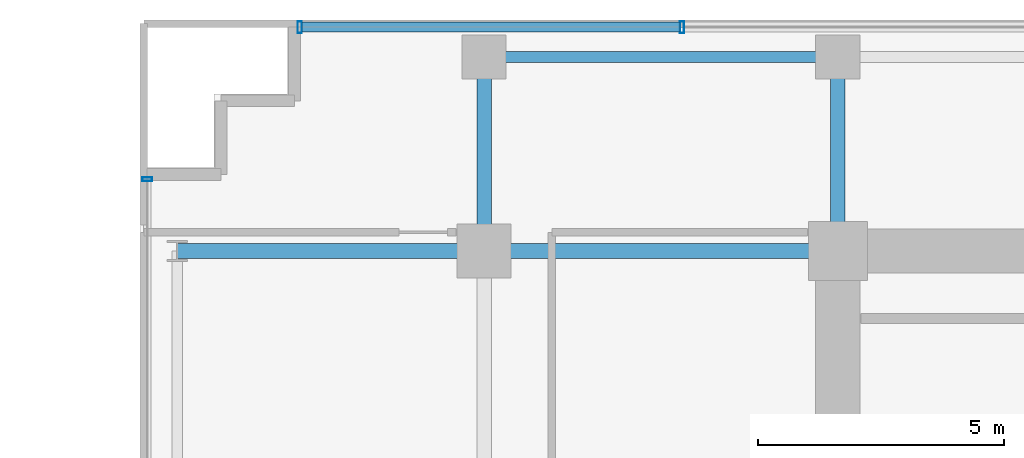
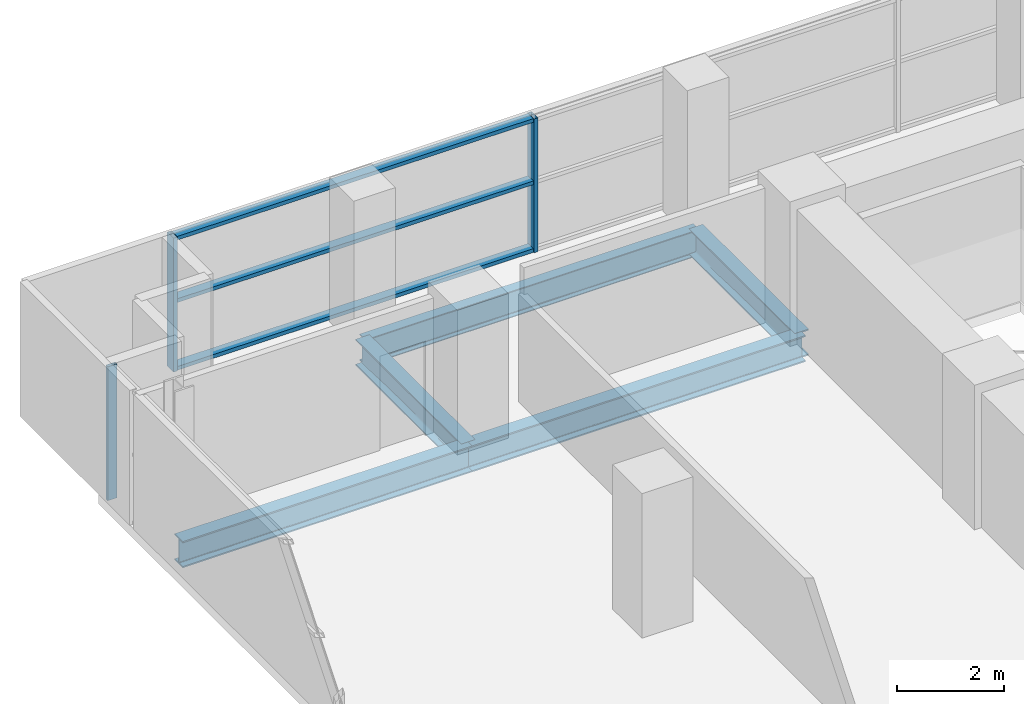
# One storey, part 18 of 32: 6 members, 5 beams, 2 elements without a shape of their own.
"""IFC4 building model written with IfcOpenShell, lengths in metres."""

from ifc_helpers import new_model, si_unit, direction, frame, origin, origin_2d, place, context, subcontext, project, spatial, hollow_rectangle, i_section, extrude, source, transform, mapped, material, layer, layer_set, material_profile, profile_set, type_object, element, aggregate, save


model = new_model("IFC4")

# Units and contexts
model_context = context("Model", 3, precision=1e-05, world=origin(), true_north=direction((0.0, 1.0)))
body_context = subcontext(model_context, "Body", "Model", "MODEL_VIEW")
ifc_project = project(units=[si_unit("LENGTHUNIT", "METRE"), si_unit("AREAUNIT", "SQUARE_METRE"), si_unit("VOLUMEUNIT", "CUBIC_METRE"), si_unit("PLANEANGLEUNIT", "RADIAN"), si_unit("MASSUNIT", "GRAM", prefix="KILO")], contexts=[model_context])

# Site, building, storey
site_placement = place(None, origin())
site = spatial("IfcSite", under=ifc_project, at=site_placement, CompositionType="ELEMENT")
building_placement = place(site_placement, origin())
building = spatial("IfcBuilding", under=site, at=building_placement, Name="Zarnakvel Exchange Tower", CompositionType="ELEMENT")
storey_placement = place(building_placement, frame((0.0, 0.0, 73.60009765625)))
storey = spatial("IfcBuildingStorey", under=building, at=storey_placement, Name="L20", CompositionType="ELEMENT", Elevation=73.60009765625)

# Beams
ifc_material_1 = material(Name="Steel S355", Category="steel")
ifc_material_profile_1 = material_profile(ifc_material_1, i_section(OverallWidth=0.300048828125, OverallDepth=0.60009765625, WebThickness=0.015380859375, FlangeThickness=0.030029296875, FilletRadius=0.027099609375, at=origin_2d()))
ifc_profile_set_1 = profile_set([ifc_material_profile_1], Name="Steel S355")
beam_type_1 = type_object("IfcBeamType", Name="G-04", PredefinedType="BEAM", material=ifc_profile_set_1)
beam_1_placement = place(storey_placement, frame((-27.85009765625, 13.5, -0.525146484375), z_axis=(1.0, 0.0, 0.0), x_axis=(0.0, 1.0, 0.0)))
element("IfcBeam", 1, at=beam_1_placement, inside=storey, type_object=beam_type_1, Name="L20 Tower E-W Frame Beam", PredefinedType="BEAM", context=body_context, shape_type="SweptSolid", body=[
    extrude(i_section(OverallWidth=0.300048828125, OverallDepth=0.60009765625, WebThickness=0.015380859375, FlangeThickness=0.030029296875, FilletRadius=0.027099609375, at=origin_2d()), origin(), (0.0, 0.0, 1.0), 6.25),
])
beam_2_placement = place(storey_placement, frame((-21.60009765625, 13.5, -0.525146484375), z_axis=(1.0, 0.0, 0.0), x_axis=(0.0, 1.0, 0.0)))
element("IfcBeam", 2, at=beam_2_placement, inside=storey, type_object=beam_type_1, Name="L20 Tower E-W Frame Beam", PredefinedType="BEAM", context=body_context, shape_type="SweptSolid", body=[
    extrude(i_section(OverallWidth=0.300048828125, OverallDepth=0.60009765625, WebThickness=0.015380859375, FlangeThickness=0.030029296875, FilletRadius=0.027099609375, at=origin_2d()), origin(), (0.0, 0.0, 1.0), 7.2001953125),
])
for number, where, z_axis, x_axis, name in (
    (3, (-21.60009765625, 13.5, -0.525146484375), (0.0, 1.0, 0.0), (-1.0, 0.0, 0.0), "L20 Tower N-S Frame Beam"),
    (4, (-14.39990234375, 13.5, -0.525146484375), (0.0, 1.0, 0.0), (-1.0, 0.0, 0.0), "L20 Tower N-S Frame Beam"),
):
    element("IfcBeam", number, at=place(storey_placement, frame(where, z_axis=z_axis, x_axis=x_axis)), inside=storey, type_object=beam_type_1, Name=name, PredefinedType="BEAM", context=body_context, shape_type="SweptSolid", body=[
        extrude(i_section(OverallWidth=0.300048828125, OverallDepth=0.60009765625, WebThickness=0.015380859375, FlangeThickness=0.030029296875, FilletRadius=0.027099609375, at=origin_2d()), origin(), (0.0, 0.0, 1.0), 3.949951171875),
    ])
ifc_material_profile_2 = material_profile(ifc_material_1, i_section(OverallWidth=0.219970703125, OverallDepth=0.60009765625, WebThickness=0.011962890625, FlangeThickness=0.01904296875, FilletRadius=0.02392578125, at=origin_2d()))
ifc_profile_set_2 = profile_set([ifc_material_profile_2], Name="Steel S355")
beam_type_2 = type_object("IfcBeamType", Name="SP-01", PredefinedType="SPANDREL", material=ifc_profile_set_2)
beam_3_placement = place(storey_placement, frame((-21.60009765625, 17.449951171875, -0.525146484375), z_axis=(1.0, 0.0, 0.0), x_axis=(0.0, 1.0, 0.0)))
element("IfcBeam", 5, at=beam_3_placement, inside=storey, type_object=beam_type_2, Name="L20 Tower E-W Frame Beam", PredefinedType="SPANDREL", context=body_context, shape_type="SweptSolid", body=[
    extrude(i_section(OverallWidth=0.219970703125, OverallDepth=0.60009765625, WebThickness=0.011962890625, FlangeThickness=0.01904296875, FilletRadius=0.02392578125, at=origin_2d()), origin(), (0.0, 0.0, 1.0), 7.2001953125),
])

# Curtain wall, members
ifc_material_2 = material(Name="Architectural Bronze Anodised Aluminium", Category="aluminium")
ifc_layer_1 = layer(ifc_material_2, 0.239990234375)
ifc_layer_set_1 = layer_set([ifc_layer_1], Name="Architectural Bronze Anodised Aluminium")
curtain_wall_type_1 = type_object("IfcCurtainWallType", Name="CW-02", PredefinedType="NOTDEFINED", material=ifc_layer_set_1)
curtain_wall_1_placement = place(storey_placement, origin())
curtain_wall_1 = element("IfcCurtainWall", 6, at=curtain_wall_1_placement, inside=storey, type_object=curtain_wall_type_1, Name="L20 Curtain Wall CW-L20-N1 (CW-02)", PredefinedType="NOTDEFINED")
ifc_material_profile_3 = material_profile(ifc_material_2, hollow_rectangle(XDim=0.199951171875, YDim=0.0849609375, WallThickness=0.0048828125, at=origin_2d()))
ifc_profile_set_3 = profile_set([ifc_material_profile_3], Name="Architectural Bronze Anodised Aluminium")
member_type_1 = type_object("IfcMemberType", Name="CWT-02", PredefinedType="USERDEFINED", material=ifc_profile_set_3)
shared_shape_1 = source(origin(), body_context, "Body", "SweptSolid", [
    extrude(hollow_rectangle(XDim=0.199951171875, YDim=0.0849609375, WallThickness=0.0048828125, at=origin_2d()), origin(), (0.0, 0.0, 1.0), 7.693603515625),
])
member_1_placement = place(storey_placement, frame((-25.31005859375, 18.06005859375, 0.04248046875), z_axis=(1.0, 0.0, 0.0), x_axis=(0.0, 1.0, 0.0)))
member_1 = element("IfcMember", 7, at=member_1_placement, type_object=member_type_1, Name="CW-02 transom 1.1", ObjectType="TRANSOM", PredefinedType="USERDEFINED", context=body_context, shape_type="MappedRepresentation", body=[
    mapped(shared_shape_1, transform((0.0, 0.0, 0.0), x_axis=(1.0, 0.0, 0.0), y_axis=(0.0, 1.0, 0.0), z_axis=(0.0, 0.0, 1.0), scale=1.0)),
])
member_2_placement = place(storey_placement, frame((-25.31005859375, 18.06005859375, 1.588623046875), z_axis=(1.0, 0.0, 0.0), x_axis=(0.0, 1.0, 0.0)))
member_2 = element("IfcMember", 8, at=member_2_placement, type_object=member_type_1, Name="CW-02 transom 1.2", ObjectType="TRANSOM", PredefinedType="USERDEFINED", context=body_context, shape_type="MappedRepresentation", body=[
    mapped(shared_shape_1, transform((0.0, 0.0, 0.0), x_axis=(1.0, 0.0, 0.0), y_axis=(0.0, 1.0, 0.0), z_axis=(0.0, 0.0, 1.0), scale=1.0)),
])
member_3_placement = place(storey_placement, frame((-25.31005859375, 18.06005859375, 3.012451171875), z_axis=(1.0, 0.0, 0.0), x_axis=(0.0, 1.0, 0.0)))
member_3 = element("IfcMember", 9, at=member_3_placement, type_object=member_type_1, Name="CW-02 transom 1.3", ObjectType="TRANSOM", PredefinedType="USERDEFINED", context=body_context, shape_type="MappedRepresentation", body=[
    mapped(shared_shape_1, transform((0.0, 0.0, 0.0), x_axis=(1.0, 0.0, 0.0), y_axis=(0.0, 1.0, 0.0), z_axis=(0.0, 0.0, 1.0), scale=1.0)),
])
ifc_material_profile_4 = material_profile(ifc_material_2, hollow_rectangle(XDim=0.239990234375, YDim=0.090087890625, WallThickness=0.006103515625, at=origin_2d()))
ifc_profile_set_4 = profile_set([ifc_material_profile_4], Name="Architectural Bronze Anodised Aluminium")
member_type_2 = type_object("IfcMemberType", Name="CWM-02", PredefinedType="MULLION", material=ifc_profile_set_4)
shared_shape_2 = source(origin(), body_context, "Body", "SweptSolid", [
    extrude(hollow_rectangle(XDim=0.239990234375, YDim=0.090087890625, WallThickness=0.006103515625, at=origin_2d()), origin(), (0.0, 0.0, 1.0), 3.054931640625),
])
member_4_placement = place(storey_placement, frame((-25.35498046875, 18.06005859375, 0.0), z_axis=(0.0, 0.0, 1.0), x_axis=(0.0, 1.0, 0.0)))
member_4 = element("IfcMember", 10, at=member_4_placement, type_object=member_type_2, Name="CW-02 mullion 1", PredefinedType="MULLION", context=body_context, shape_type="MappedRepresentation", body=[
    mapped(shared_shape_2, transform((0.0, 0.0, 0.0), x_axis=(1.0, 0.0, 0.0), y_axis=(0.0, 1.0, 0.0), z_axis=(0.0, 0.0, 1.0), scale=1.0)),
])
member_5_placement = place(storey_placement, frame((-17.571533203125, 18.06005859375, 0.0), z_axis=(0.0, 0.0, 1.0), x_axis=(0.0, 1.0, 0.0)))
member_5 = element("IfcMember", 11, at=member_5_placement, type_object=member_type_2, Name="CW-02 mullion 2", PredefinedType="MULLION", context=body_context, shape_type="MappedRepresentation", body=[
    mapped(shared_shape_2, transform((0.0, 0.0, 0.0), x_axis=(1.0, 0.0, 0.0), y_axis=(0.0, 1.0, 0.0), z_axis=(0.0, 0.0, 1.0), scale=1.0)),
])
aggregate(curtain_wall_1, [member_4, member_5, member_1, member_2, member_3])

# Curtain wall, member
ifc_layer_2 = layer(ifc_material_2, 0.199951171875)
ifc_layer_set_2 = layer_set([ifc_layer_2], Name="Architectural Bronze Anodised Aluminium")
curtain_wall_type_2 = type_object("IfcCurtainWallType", Name="CW-04", PredefinedType="NOTDEFINED", material=ifc_layer_set_2)
curtain_wall_2_placement = place(storey_placement, origin())
curtain_wall_2 = element("IfcCurtainWall", 12, at=curtain_wall_2_placement, inside=storey, type_object=curtain_wall_type_2, Name="L20 Curtain Wall CW-L20-WN (CW-04)", PredefinedType="NOTDEFINED")
ifc_material_profile_5 = material_profile(ifc_material_2, hollow_rectangle(XDim=0.199951171875, YDim=0.074951171875, WallThickness=0.0048828125, at=origin_2d()))
ifc_profile_set_5 = profile_set([ifc_material_profile_5], Name="Architectural Bronze Anodised Aluminium")
member_type_3 = type_object("IfcMemberType", Name="CWM-04", PredefinedType="MULLION", material=ifc_profile_set_5)
shared_shape_3 = source(origin(), body_context, "Body", "SweptSolid", [
    extrude(hollow_rectangle(XDim=0.199951171875, YDim=0.074951171875, WallThickness=0.0048828125, at=origin_2d()), origin(), (0.0, 0.0, 1.0), 3.054931640625),
])
member_6_placement = place(storey_placement, frame((-28.4599609375, 14.96240234375, 0.0), z_axis=(0.0, 0.0, 1.0), x_axis=(-1.0, 0.0, 0.0)))
member_6 = element("IfcMember", 13, at=member_6_placement, type_object=member_type_3, Name="CW-04 mullion 3", PredefinedType="MULLION", context=body_context, shape_type="MappedRepresentation", body=[
    mapped(shared_shape_3, transform((0.0, 0.0, 0.0), x_axis=(1.0, 0.0, 0.0), y_axis=(0.0, 1.0, 0.0), z_axis=(0.0, 0.0, 1.0), scale=1.0)),
])
aggregate(curtain_wall_2, [member_6])

save(model, "model.ifc")
